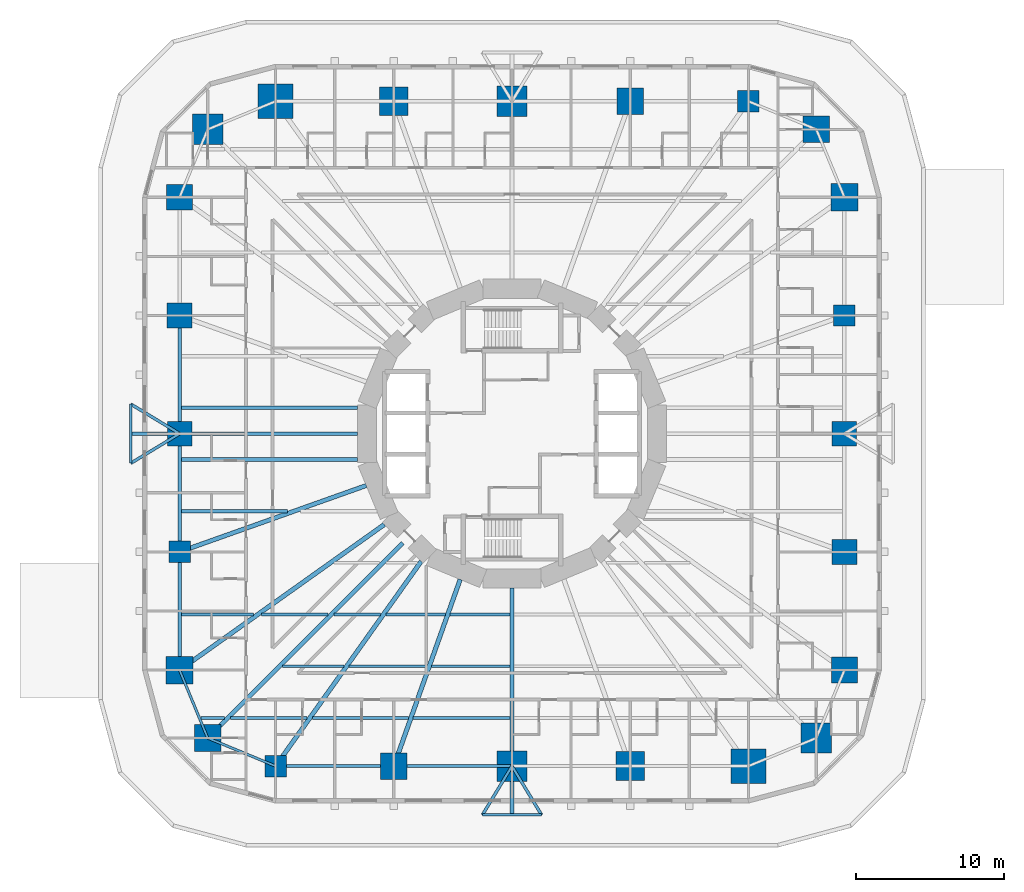
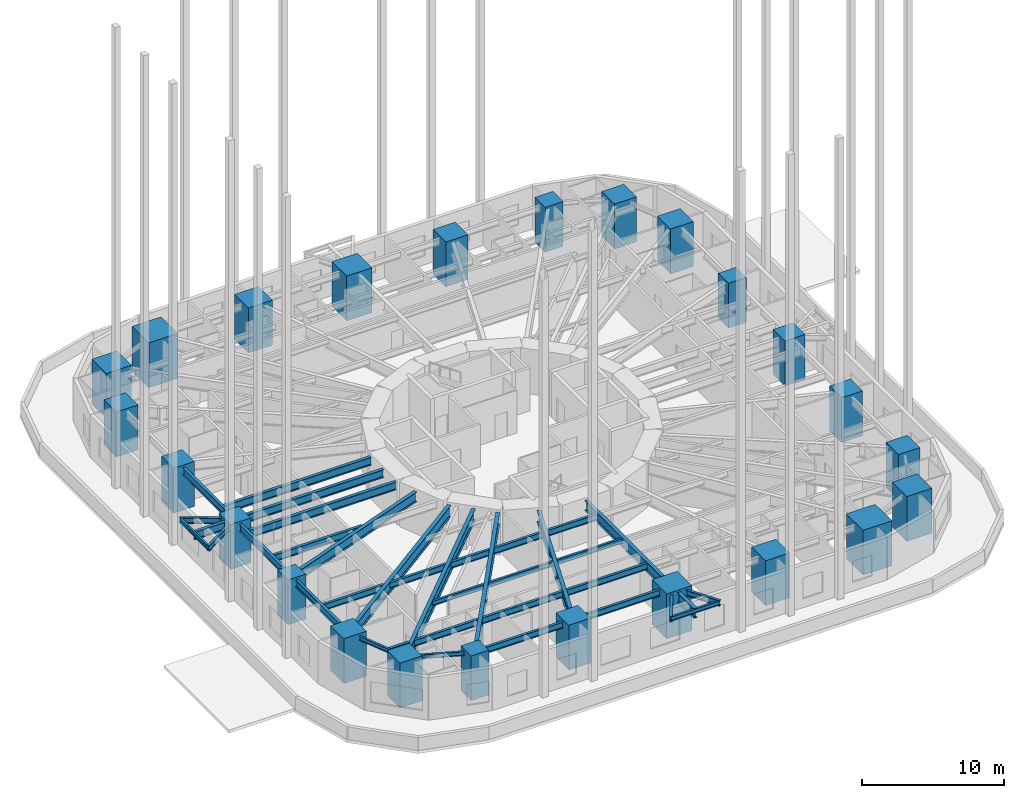
# One storey, part 1 of 13: 35 beams, 24 columns.
"""IFC4 building model written with IfcOpenShell, lengths in metres."""

from ifc_helpers import new_model, si_unit, direction, frame, origin, origin_2d, place, context, subcontext, project, spatial, rectangle, i_section, extrude, material, material_profile, profile_set, type_object, element, save


model = new_model("IFC4")

# Units and contexts
model_context = context("Model", 3, precision=1e-05, world=origin(), true_north=direction((0.0, 1.0)))
body_context = subcontext(model_context, "Body", "Model", "MODEL_VIEW")
ifc_project = project(units=[si_unit("LENGTHUNIT", "METRE"), si_unit("AREAUNIT", "SQUARE_METRE"), si_unit("VOLUMEUNIT", "CUBIC_METRE"), si_unit("PLANEANGLEUNIT", "RADIAN"), si_unit("MASSUNIT", "GRAM", prefix="KILO")], contexts=[model_context])

# Site, building, storey
site_placement = place(None, origin())
site = spatial("IfcSite", under=ifc_project, at=site_placement, CompositionType="ELEMENT")
building_placement = place(site_placement, origin())
building = spatial("IfcBuilding", under=site, at=building_placement, Name="Nakasero Lantern House", CompositionType="ELEMENT")
storey_placement = place(building_placement, frame((0.0, 0.0, 16.0)))
storey = spatial("IfcBuildingStorey", under=building, at=storey_placement, Name="L03", CompositionType="ELEMENT", Elevation=16.0)

# Columns
ifc_material_1 = material(Name="Concrete C50/60", Category="concrete")
ifc_material_profile_1 = material_profile(ifc_material_1, rectangle(XDim=1.800048828125, YDim=1.800048828125, at=origin_2d()), Name="RC 1800x1800")
ifc_profile_set_1 = profile_set([ifc_material_profile_1], Name="Concrete C50/60")
column_type_1 = type_object("IfcColumnType", Name="Mega column RC 1800x1800 C50/60", PredefinedType="COLUMN", material=ifc_profile_set_1)
for number, where, z_axis, x_axis, name in (
    (1, (20.59619140625, 20.59619140625, 0.0), (0.0, 0.0, 1.0), (1.0, 0.0, 0.0), "Column B1-C06 L03"),
    (2, (-20.59619140625, -20.59619140625, 0.0), (0.0, 0.0, 1.0), (1.0, 0.0, 0.0), "Column B1-C18 L03"),
):
    element("IfcColumn", number, at=place(storey_placement, frame(where, z_axis=z_axis, x_axis=x_axis)), inside=storey, type_object=column_type_1, Name=name, PredefinedType="COLUMN", context=body_context, shape_type="SweptSolid", body=[
        extrude(rectangle(XDim=1.800048828125, YDim=1.800048828125, at=origin_2d()), origin(), (0.0, 0.0, 1.0), 3.85009765625),
    ])
ifc_material_2 = material(Name="Concrete C50/60", Category="concrete")
ifc_material_profile_2 = material_profile(ifc_material_2, rectangle(XDim=2.050048828125, YDim=2.050048828125, at=origin_2d()), Name="RC 2050x2050")
ifc_profile_set_2 = profile_set([ifc_material_profile_2], Name="Concrete C50/60")
column_type_2 = type_object("IfcColumnType", Name="Mega column RC 2050x2050 C50/60", PredefinedType="COLUMN", material=ifc_profile_set_2)
for number, where, z_axis, x_axis, name in (
    (3, (-20.59619140625, 20.59619140625, 0.0), (0.0, 0.0, 1.0), (1.0, 0.0, 0.0), "Column B1-C12 L03"),
    (4, (20.59619140625, -20.59619140625, 0.0), (0.0, 0.0, 1.0), (1.0, 0.0, 0.0), "Column B1-C24 L03"),
):
    element("IfcColumn", number, at=place(storey_placement, frame(where, z_axis=z_axis, x_axis=x_axis)), inside=storey, type_object=column_type_2, Name=name, PredefinedType="COLUMN", context=body_context, shape_type="SweptSolid", body=[
        extrude(rectangle(XDim=2.050048828125, YDim=2.050048828125, at=origin_2d()), origin(), (0.0, 0.0, 1.0), 3.85009765625),
    ])
ifc_material_3 = material(Name="Concrete C50/60", Category="concrete")
ifc_material_profile_3 = material_profile(ifc_material_3, rectangle(XDim=1.449951171875, YDim=1.449951171875, at=origin_2d()), Name="RC 1450x1450")
ifc_profile_set_3 = profile_set([ifc_material_profile_3], Name="Concrete C50/60")
column_type_3 = type_object("IfcColumnType", Name="Ring column RC 1450x1450 C50/60", PredefinedType="COLUMN", material=ifc_profile_set_3)
for number, where, z_axis, x_axis, name in (
    (5, (22.5, 8.0, 0.0), (0.0, 0.0, 1.0), (1.0, 0.0, 0.0), "Column B1-C04 L03"),
    (6, (16.0, 22.5, 0.0), (0.0, 0.0, 1.0), (1.0, 0.0, 0.0), "Column B1-C07 L03"),
    (7, (-22.5, -8.0, 0.0), (0.0, 0.0, 1.0), (1.0, 0.0, 0.0), "Column B1-C16 L03"),
    (8, (-16.0, -22.5, 0.0), (0.0, 0.0, 1.0), (1.0, 0.0, 0.0), "Column B1-C19 L03"),
):
    element("IfcColumn", number, at=place(storey_placement, frame(where, z_axis=z_axis, x_axis=x_axis)), inside=storey, type_object=column_type_3, Name=name, PredefinedType="COLUMN", context=body_context, shape_type="SweptSolid", body=[
        extrude(rectangle(XDim=1.449951171875, YDim=1.449951171875, at=origin_2d()), origin(), (0.0, 0.0, 1.0), 3.85009765625),
    ])
ifc_material_4 = material(Name="Concrete C50/60", Category="concrete")
ifc_material_profile_4 = material_profile(ifc_material_4, rectangle(XDim=1.64990234375, YDim=1.64990234375, at=origin_2d()), Name="RC 1650x1650")
ifc_profile_set_4 = profile_set([ifc_material_profile_4], Name="Concrete C50/60")
column_type_4 = type_object("IfcColumnType", Name="Ring column RC 1650x1650 C50/60", PredefinedType="COLUMN", material=ifc_profile_set_4)
for number, where, z_axis, x_axis, name in (
    (9, (22.5, 0.0, 0.0), (0.0, 0.0, 1.0), (1.0, 0.0, 0.0), "Column B1-C03 L03"),
    (10, (-22.5, 0.0, 0.0), (0.0, 0.0, 1.0), (1.0, 0.0, 0.0), "Column B1-C15 L03"),
):
    element("IfcColumn", number, at=place(storey_placement, frame(where, z_axis=z_axis, x_axis=x_axis)), inside=storey, type_object=column_type_4, Name=name, PredefinedType="COLUMN", context=body_context, shape_type="SweptSolid", body=[
        extrude(rectangle(XDim=1.64990234375, YDim=1.64990234375, at=origin_2d()), origin(), (0.0, 0.0, 1.0), 3.85009765625),
    ])
ifc_material_5 = material(Name="Concrete C50/60", Category="concrete")
ifc_material_profile_5 = material_profile(ifc_material_5, rectangle(XDim=1.699951171875, YDim=1.699951171875, at=origin_2d()), Name="RC 1700x1700")
ifc_profile_set_5 = profile_set([ifc_material_profile_5], Name="Concrete C50/60")
column_type_5 = type_object("IfcColumnType", Name="Ring column RC 1700x1700 C50/60", PredefinedType="COLUMN", material=ifc_profile_set_5)
for number, where, z_axis, x_axis, name in (
    (11, (22.5, -8.0, 0.0), (0.0, 0.0, 1.0), (1.0, 0.0, 0.0), "Column B1-C02 L03"),
    (12, (-22.5, 8.0, 0.0), (0.0, 0.0, 1.0), (1.0, 0.0, 0.0), "Column B1-C14 L03"),
):
    element("IfcColumn", number, at=place(storey_placement, frame(where, z_axis=z_axis, x_axis=x_axis)), inside=storey, type_object=column_type_5, Name=name, PredefinedType="COLUMN", context=body_context, shape_type="SweptSolid", body=[
        extrude(rectangle(XDim=1.699951171875, YDim=1.699951171875, at=origin_2d()), origin(), (0.0, 0.0, 1.0), 3.85009765625),
    ])
ifc_material_6 = material(Name="Concrete C50/60", Category="concrete")
ifc_material_profile_6 = material_profile(ifc_material_6, rectangle(XDim=1.75, YDim=1.75, at=origin_2d()), Name="RC 1750x1750")
ifc_profile_set_6 = profile_set([ifc_material_profile_6], Name="Concrete C50/60")
column_type_6 = type_object("IfcColumnType", Name="Ring column RC 1750x1750 C50/60", PredefinedType="COLUMN", material=ifc_profile_set_6)
for number, where, z_axis, x_axis, name in (
    (13, (22.5, -16.0, 0.0), (0.0, 0.0, 1.0), (1.0, 0.0, 0.0), "Column B1-C01 L03"),
    (14, (-22.5, 16.0, 0.0), (0.0, 0.0, 1.0), (1.0, 0.0, 0.0), "Column B1-C13 L03"),
):
    element("IfcColumn", number, at=place(storey_placement, frame(where, z_axis=z_axis, x_axis=x_axis)), inside=storey, type_object=column_type_6, Name=name, PredefinedType="COLUMN", context=body_context, shape_type="SweptSolid", body=[
        extrude(rectangle(XDim=1.75, YDim=1.75, at=origin_2d()), origin(), (0.0, 0.0, 1.0), 3.85009765625),
    ])
ifc_material_7 = material(Name="Concrete C50/60", Category="concrete")
ifc_material_profile_7 = material_profile(ifc_material_7, rectangle(XDim=1.800048828125, YDim=1.800048828125, at=origin_2d()), Name="RC 1800x1800")
ifc_profile_set_7 = profile_set([ifc_material_profile_7], Name="Concrete C50/60")
column_type_7 = type_object("IfcColumnType", Name="Ring column RC 1800x1800 C50/60", PredefinedType="COLUMN", material=ifc_profile_set_7)
for number, where, z_axis, x_axis, name in (
    (15, (8.0, 22.5, 0.0), (0.0, 0.0, 1.0), (1.0, 0.0, 0.0), "Column B1-C08 L03"),
    (16, (-8.0, -22.5, 0.0), (0.0, 0.0, 1.0), (1.0, 0.0, 0.0), "Column B1-C20 L03"),
):
    element("IfcColumn", number, at=place(storey_placement, frame(where, z_axis=z_axis, x_axis=x_axis)), inside=storey, type_object=column_type_7, Name=name, PredefinedType="COLUMN", context=body_context, shape_type="SweptSolid", body=[
        extrude(rectangle(XDim=1.800048828125, YDim=1.800048828125, at=origin_2d()), origin(), (0.0, 0.0, 1.0), 3.85009765625),
    ])
ifc_material_8 = material(Name="Concrete C50/60", Category="concrete")
ifc_material_profile_8 = material_profile(ifc_material_8, rectangle(XDim=1.85009765625, YDim=1.85009765625, at=origin_2d()), Name="RC 1850x1850")
ifc_profile_set_8 = profile_set([ifc_material_profile_8], Name="Concrete C50/60")
column_type_8 = type_object("IfcColumnType", Name="Ring column RC 1850x1850 C50/60", PredefinedType="COLUMN", material=ifc_profile_set_8)
for number, where, z_axis, x_axis, name in (
    (17, (22.5, 16.0, 0.0), (0.0, 0.0, 1.0), (1.0, 0.0, 0.0), "Column B1-C05 L03"),
    (18, (-22.5, -16.0, 0.0), (0.0, 0.0, 1.0), (1.0, 0.0, 0.0), "Column B1-C17 L03"),
):
    element("IfcColumn", number, at=place(storey_placement, frame(where, z_axis=z_axis, x_axis=x_axis)), inside=storey, type_object=column_type_8, Name=name, PredefinedType="COLUMN", context=body_context, shape_type="SweptSolid", body=[
        extrude(rectangle(XDim=1.85009765625, YDim=1.85009765625, at=origin_2d()), origin(), (0.0, 0.0, 1.0), 3.85009765625),
    ])
ifc_material_9 = material(Name="Concrete C50/60", Category="concrete")
ifc_material_profile_9 = material_profile(ifc_material_9, rectangle(XDim=1.949951171875, YDim=1.949951171875, at=origin_2d()), Name="RC 1950x1950")
ifc_profile_set_9 = profile_set([ifc_material_profile_9], Name="Concrete C50/60")
column_type_9 = type_object("IfcColumnType", Name="Ring column RC 1950x1950 C50/60", PredefinedType="COLUMN", material=ifc_profile_set_9)
for number, where, z_axis, x_axis, name in (
    (19, (-8.0, 22.5, 0.0), (0.0, 0.0, 1.0), (1.0, 0.0, 0.0), "Column B1-C10 L03"),
    (20, (8.0, -22.5, 0.0), (0.0, 0.0, 1.0), (1.0, 0.0, 0.0), "Column B1-C22 L03"),
):
    element("IfcColumn", number, at=place(storey_placement, frame(where, z_axis=z_axis, x_axis=x_axis)), inside=storey, type_object=column_type_9, Name=name, PredefinedType="COLUMN", context=body_context, shape_type="SweptSolid", body=[
        extrude(rectangle(XDim=1.949951171875, YDim=1.949951171875, at=origin_2d()), origin(), (0.0, 0.0, 1.0), 3.85009765625),
    ])
ifc_material_10 = material(Name="Concrete C50/60", Category="concrete")
ifc_material_profile_10 = material_profile(ifc_material_10, rectangle(XDim=2.050048828125, YDim=2.050048828125, at=origin_2d()), Name="RC 2050x2050")
ifc_profile_set_10 = profile_set([ifc_material_profile_10], Name="Concrete C50/60")
column_type_10 = type_object("IfcColumnType", Name="Ring column RC 2050x2050 C50/60", PredefinedType="COLUMN", material=ifc_profile_set_10)
for number, where, z_axis, x_axis, name in (
    (21, (0.0, 22.5, 0.0), (0.0, 0.0, 1.0), (1.0, 0.0, 0.0), "Column B1-C09 L03"),
    (22, (0.0, -22.5, 0.0), (0.0, 0.0, 1.0), (1.0, 0.0, 0.0), "Column B1-C21 L03"),
):
    element("IfcColumn", number, at=place(storey_placement, frame(where, z_axis=z_axis, x_axis=x_axis)), inside=storey, type_object=column_type_10, Name=name, PredefinedType="COLUMN", context=body_context, shape_type="SweptSolid", body=[
        extrude(rectangle(XDim=2.050048828125, YDim=2.050048828125, at=origin_2d()), origin(), (0.0, 0.0, 1.0), 3.85009765625),
    ])
ifc_material_11 = material(Name="Concrete C50/60", Category="concrete")
ifc_material_profile_11 = material_profile(ifc_material_11, rectangle(XDim=2.35009765625, YDim=2.35009765625, at=origin_2d()), Name="RC 2350x2350")
ifc_profile_set_11 = profile_set([ifc_material_profile_11], Name="Concrete C50/60")
column_type_11 = type_object("IfcColumnType", Name="Ring column RC 2350x2350 C50/60", PredefinedType="COLUMN", material=ifc_profile_set_11)
for number, where, z_axis, x_axis, name in (
    (23, (-16.0, 22.5, 0.0), (0.0, 0.0, 1.0), (1.0, 0.0, 0.0), "Column B1-C11 L03"),
    (24, (16.0, -22.5, 0.0), (0.0, 0.0, 1.0), (1.0, 0.0, 0.0), "Column B1-C23 L03"),
):
    element("IfcColumn", number, at=place(storey_placement, frame(where, z_axis=z_axis, x_axis=x_axis)), inside=storey, type_object=column_type_11, Name=name, PredefinedType="COLUMN", context=body_context, shape_type="SweptSolid", body=[
        extrude(rectangle(XDim=2.35009765625, YDim=2.35009765625, at=origin_2d()), origin(), (0.0, 0.0, 1.0), 3.85009765625),
    ])

# Beams
ifc_material_12 = material(Name="Steel S355", Category="steel")
ifc_material_profile_12 = material_profile(ifc_material_12, i_section(OverallWidth=0.199462890625, OverallDepth=0.491943359375, WebThickness=0.01806640625, FlangeThickness=0.031982421875, FilletRadius=0.01025390625, at=origin_2d()), Name="UB 457x191x161")
ifc_profile_set_12 = profile_set([ifc_material_profile_12], Name="Steel S355")
beam_type_1 = type_object("IfcBeamType", Name="Balcony splay beam UB 457x191x161", PredefinedType="BEAM", material=ifc_profile_set_12)
for number, where, z_axis, x_axis, name in (
    (25, (-22.5, 0.0, 3.404052734375), (-0.855201230787, -0.518296107317, 0.0), (0.518296107317, -0.855201230787, 0.0), "Balcony splay beam L04 B1-C15A"),
    (26, (-22.5, 0.0, 3.404052734375), (-0.855201230787, 0.518296107317, 0.0), (-0.518296107317, -0.855201230787, 0.0), "Balcony splay beam L04 B1-C15B"),
    (27, (0.0, -22.5, 3.404052734375), (0.518296107317, -0.855201230787, 0.0), (0.855201230787, 0.518296107317, 0.0), "Balcony splay beam L04 B1-C21A"),
    (28, (0.0, -22.5, 3.404052734375), (-0.518296107317, -0.855201230787, 0.0), (0.855201230787, -0.518296107317, 0.0), "Balcony splay beam L04 B1-C21B"),
):
    element("IfcBeam", number, at=place(storey_placement, frame(where, z_axis=z_axis, x_axis=x_axis)), inside=storey, type_object=beam_type_1, Name=name, PredefinedType="BEAM", context=body_context, shape_type="SweptSolid", body=[
        extrude(i_section(OverallWidth=0.199462890625, OverallDepth=0.491943359375, WebThickness=0.01806640625, FlangeThickness=0.031982421875, FilletRadius=0.01025390625, at=origin_2d()), origin(), (0.0, 0.0, 1.0), 3.85888671875),
    ])
ifc_material_13 = material(Name="Steel S355", Category="steel")
ifc_material_profile_13 = material_profile(ifc_material_13, i_section(OverallWidth=0.17138671875, OverallDepth=0.35498046875, WebThickness=0.00732421875, FlangeThickness=0.011474609375, FilletRadius=0.01025390625, at=origin_2d()), Name="UB 356x171x51")
ifc_profile_set_13 = profile_set([ifc_material_profile_13], Name="Steel S355")
beam_type_2 = type_object("IfcBeamType", Name="Balcony tie beam UB 356x171x51", PredefinedType="BEAM", material=ifc_profile_set_13)
for number, where, z_axis, x_axis, name in (
    (29, (-25.800048828125, -2.0, 3.472412109375), (0.0, 1.0, 0.0), (-1.0, 0.0, 0.0), "Balcony tie beam L04 B1-C15"),
    (30, (2.0, -25.800048828125, 3.472412109375), (-1.0, 0.0, 0.0), (0.0, -1.0, 0.0), "Balcony tie beam L04 B1-C21"),
):
    element("IfcBeam", number, at=place(storey_placement, frame(where, z_axis=z_axis, x_axis=x_axis)), inside=storey, type_object=beam_type_2, Name=name, PredefinedType="BEAM", context=body_context, shape_type="SweptSolid", body=[
        extrude(i_section(OverallWidth=0.17138671875, OverallDepth=0.35498046875, WebThickness=0.00732421875, FlangeThickness=0.011474609375, FilletRadius=0.01025390625, at=origin_2d()), origin(), (0.0, 0.0, 1.0), 4.0),
    ])
ifc_material_14 = material(Name="Steel S355", Category="steel")
ifc_material_profile_14 = material_profile(ifc_material_14, i_section(OverallWidth=0.177978515625, OverallDepth=0.406494140625, WebThickness=0.0078125, FlangeThickness=0.0126953125, FilletRadius=0.01025390625, at=origin_2d()), Name="UB 406x178x60")
ifc_profile_set_14 = profile_set([ifc_material_profile_14], Name="Steel S355")
beam_type_3 = type_object("IfcBeamType", Name="Infill beam UB 406x178x60", PredefinedType="JOIST", material=ifc_profile_set_14)
beam_1_placement = place(storey_placement, frame((-15.537841796875, -15.75, 3.44677734375), z_axis=(1.0, 0.0, 0.0), x_axis=(0.0, 1.0, 0.0)))
element("IfcBeam", 31, at=beam_1_placement, inside=storey, type_object=beam_type_3, Name="Infill beam L04 03.1", PredefinedType="JOIST", context=body_context, shape_type="SweptSolid", body=[
    extrude(i_section(OverallWidth=0.177978515625, OverallDepth=0.406494140625, WebThickness=0.0078125, FlangeThickness=0.0126953125, FilletRadius=0.01025390625, at=origin_2d()), origin(), (0.0, 0.0, 1.0), 4.15380859375),
])
beam_2_placement = place(storey_placement, frame((-11.015869140625, -15.75, 3.44677734375), z_axis=(1.0, 0.0, 0.0), x_axis=(0.0, 1.0, 0.0)))
element("IfcBeam", 32, at=beam_2_placement, inside=storey, type_object=beam_type_3, Name="Infill beam L04 03.2", PredefinedType="JOIST", context=body_context, shape_type="SweptSolid", body=[
    extrude(i_section(OverallWidth=0.177978515625, OverallDepth=0.406494140625, WebThickness=0.0078125, FlangeThickness=0.0126953125, FilletRadius=0.01025390625, at=origin_2d()), origin(), (0.0, 0.0, 1.0), 5.256591796875),
])
beam_3_placement = place(storey_placement, frame((-5.44091796875, -15.75, 3.44677734375), z_axis=(1.0, 0.0, 0.0), x_axis=(0.0, 1.0, 0.0)))
element("IfcBeam", 33, at=beam_3_placement, inside=storey, type_object=beam_type_3, Name="Infill beam L04 03.3", PredefinedType="JOIST", context=body_context, shape_type="SweptSolid", body=[
    extrude(i_section(OverallWidth=0.177978515625, OverallDepth=0.406494140625, WebThickness=0.0078125, FlangeThickness=0.0126953125, FilletRadius=0.01025390625, at=origin_2d()), origin(), (0.0, 0.0, 1.0), 5.294677734375),
])
ifc_material_15 = material(Name="Steel S355", Category="steel")
ifc_material_profile_15 = material_profile(ifc_material_15, i_section(OverallWidth=0.208740234375, OverallDepth=0.5283203125, WebThickness=0.009521484375, FlangeThickness=0.01318359375, FilletRadius=0.0126953125, at=origin_2d()), Name="UB 533x210x82")
ifc_profile_set_15 = profile_set([ifc_material_profile_15], Name="Steel S355")
beam_type_4 = type_object("IfcBeamType", Name="Infill beam UB 533x210x82", PredefinedType="JOIST", material=ifc_profile_set_15)
beam_4_placement = place(storey_placement, frame((-21.06103515625, -19.25, 3.3857421875), z_axis=(1.0, 0.0, 0.0), x_axis=(0.0, 1.0, 0.0)))
element("IfcBeam", 34, at=beam_4_placement, inside=storey, type_object=beam_type_4, Name="Infill beam L04 02.1", PredefinedType="JOIST", context=body_context, shape_type="SweptSolid", body=[
    extrude(i_section(OverallWidth=0.208740234375, OverallDepth=0.5283203125, WebThickness=0.009521484375, FlangeThickness=0.01318359375, FilletRadius=0.0126953125, at=origin_2d()), origin(), (0.0, 0.0, 1.0), 1.598876953125),
])
beam_5_placement = place(storey_placement, frame((-19.037841796875, -19.25, 3.3857421875), z_axis=(1.0, 0.0, 0.0), x_axis=(0.0, 1.0, 0.0)))
element("IfcBeam", 35, at=beam_5_placement, inside=storey, type_object=beam_type_4, Name="Infill beam L04 02.2", PredefinedType="JOIST", context=body_context, shape_type="SweptSolid", body=[
    extrude(i_section(OverallWidth=0.208740234375, OverallDepth=0.5283203125, WebThickness=0.009521484375, FlangeThickness=0.01318359375, FilletRadius=0.0126953125, at=origin_2d()), origin(), (0.0, 0.0, 1.0), 5.164794921875),
])
beam_6_placement = place(storey_placement, frame((-13.5048828125, -19.25, 3.3857421875), z_axis=(1.0, 0.0, 0.0), x_axis=(0.0, 1.0, 0.0)))
element("IfcBeam", 36, at=beam_6_placement, inside=storey, type_object=beam_type_4, Name="Infill beam L04 02.3", PredefinedType="JOIST", context=body_context, shape_type="SweptSolid", body=[
    extrude(i_section(OverallWidth=0.208740234375, OverallDepth=0.5283203125, WebThickness=0.009521484375, FlangeThickness=0.01318359375, FilletRadius=0.0126953125, at=origin_2d()), origin(), (0.0, 0.0, 1.0), 6.501220703125),
])
beam_7_placement = place(storey_placement, frame((-6.685302734375, -19.25, 3.3857421875), z_axis=(1.0, 0.0, 0.0), x_axis=(0.0, 1.0, 0.0)))
element("IfcBeam", 37, at=beam_7_placement, inside=storey, type_object=beam_type_4, Name="Infill beam L04 02.4", PredefinedType="JOIST", context=body_context, shape_type="SweptSolid", body=[
    extrude(i_section(OverallWidth=0.208740234375, OverallDepth=0.5283203125, WebThickness=0.009521484375, FlangeThickness=0.01318359375, FilletRadius=0.0126953125, at=origin_2d()), origin(), (0.0, 0.0, 1.0), 6.5390625),
])
beam_8_placement = place(storey_placement, frame((-22.385498046875, -12.25, 3.3857421875), z_axis=(1.0, 0.0, 0.0), x_axis=(0.0, 1.0, 0.0)))
element("IfcBeam", 38, at=beam_8_placement, inside=storey, type_object=beam_type_4, Name="Infill beam L04 04.1", PredefinedType="JOIST", context=body_context, shape_type="SweptSolid", body=[
    extrude(i_section(OverallWidth=0.208740234375, OverallDepth=0.5283203125, WebThickness=0.009521484375, FlangeThickness=0.01318359375, FilletRadius=0.0126953125, at=origin_2d()), origin(), (0.0, 0.0, 1.0), 4.900146484375),
])
beam_9_placement = place(storey_placement, frame((-16.9677734375, -12.25, 3.3857421875), z_axis=(1.0, 0.0, 0.0), x_axis=(0.0, 1.0, 0.0)))
element("IfcBeam", 39, at=beam_9_placement, inside=storey, type_object=beam_type_4, Name="Infill beam L04 04.2", PredefinedType="JOIST", context=body_context, shape_type="SweptSolid", body=[
    extrude(i_section(OverallWidth=0.208740234375, OverallDepth=0.5283203125, WebThickness=0.009521484375, FlangeThickness=0.01318359375, FilletRadius=0.0126953125, at=origin_2d()), origin(), (0.0, 0.0, 1.0), 4.505615234375),
])
beam_10_placement = place(storey_placement, frame((-12.037841796875, -12.25, 3.3857421875), z_axis=(1.0, 0.0, 0.0), x_axis=(0.0, 1.0, 0.0)))
element("IfcBeam", 40, at=beam_10_placement, inside=storey, type_object=beam_type_4, Name="Infill beam L04 04.3", PredefinedType="JOIST", context=body_context, shape_type="SweptSolid", body=[
    extrude(i_section(OverallWidth=0.208740234375, OverallDepth=0.5283203125, WebThickness=0.009521484375, FlangeThickness=0.01318359375, FilletRadius=0.0126953125, at=origin_2d()), origin(), (0.0, 0.0, 1.0), 3.142578125),
])
beam_11_placement = place(storey_placement, frame((-8.527099609375, -12.25, 3.3857421875), z_axis=(1.0, 0.0, 0.0), x_axis=(0.0, 1.0, 0.0)))
element("IfcBeam", 41, at=beam_11_placement, inside=storey, type_object=beam_type_4, Name="Infill beam L04 04.4", PredefinedType="JOIST", context=body_context, shape_type="SweptSolid", body=[
    extrude(i_section(OverallWidth=0.208740234375, OverallDepth=0.5283203125, WebThickness=0.009521484375, FlangeThickness=0.01318359375, FilletRadius=0.0126953125, at=origin_2d()), origin(), (0.0, 0.0, 1.0), 4.012451171875),
])
beam_12_placement = place(storey_placement, frame((-4.1962890625, -12.25, 3.3857421875), z_axis=(1.0, 0.0, 0.0), x_axis=(0.0, 1.0, 0.0)))
element("IfcBeam", 42, at=beam_12_placement, inside=storey, type_object=beam_type_4, Name="Infill beam L04 04.5", PredefinedType="JOIST", context=body_context, shape_type="SweptSolid", body=[
    extrude(i_section(OverallWidth=0.208740234375, OverallDepth=0.5283203125, WebThickness=0.009521484375, FlangeThickness=0.01318359375, FilletRadius=0.0126953125, at=origin_2d()), origin(), (0.0, 0.0, 1.0), 4.050048828125),
])
ifc_material_16 = material(Name="Steel S355", Category="steel")
ifc_material_profile_16 = material_profile(ifc_material_16, i_section(OverallWidth=0.2275390625, OverallDepth=0.6025390625, WebThickness=0.010498046875, FlangeThickness=0.014892578125, FilletRadius=0.0126953125, at=origin_2d()), Name="UB 610x229x101")
ifc_profile_set_16 = profile_set([ifc_material_profile_16], Name="Steel S355")
beam_type_5 = type_object("IfcBeamType", Name="Infill beam UB 610x229x101", PredefinedType="JOIST", material=ifc_profile_set_16)
beam_13_placement = place(storey_placement, frame((-22.385498046875, -5.25, 3.3486328125), z_axis=(1.0, 0.0, 0.0), x_axis=(0.0, 1.0, 0.0)))
element("IfcBeam", 43, at=beam_13_placement, inside=storey, type_object=beam_type_5, Name="Infill beam L04 06.1", PredefinedType="JOIST", context=body_context, shape_type="SweptSolid", body=[
    extrude(i_section(OverallWidth=0.2275390625, OverallDepth=0.6025390625, WebThickness=0.010498046875, FlangeThickness=0.014892578125, FilletRadius=0.0126953125, at=origin_2d()), origin(), (0.0, 0.0, 1.0), 7.183349609375),
])
ifc_material_17 = material(Name="Steel S355", Category="steel")
ifc_material_profile_17 = material_profile(ifc_material_17, i_section(OverallWidth=0.253662109375, OverallDepth=0.68359375, WebThickness=0.012451171875, FlangeThickness=0.01904296875, FilletRadius=0.01513671875, at=origin_2d()), Name="UB 686x254x140")
ifc_profile_set_17 = profile_set([ifc_material_profile_17], Name="Steel S355")
beam_type_6 = type_object("IfcBeamType", Name="Infill beam UB 686x254x140", PredefinedType="JOIST", material=ifc_profile_set_17)
for number, where, z_axis, x_axis, name in (
    (44, (-22.385498046875, -1.75, 3.308349609375), (1.0, 0.0, 0.0), (0.0, 1.0, 0.0), "Infill beam L04 07.1"),
    (45, (-22.385498046875, 1.75, 3.308349609375), (1.0, 0.0, 0.0), (0.0, 1.0, 0.0), "Infill beam L04 08.1"),
):
    element("IfcBeam", number, at=place(storey_placement, frame(where, z_axis=z_axis, x_axis=x_axis)), inside=storey, type_object=beam_type_6, Name=name, PredefinedType="JOIST", context=body_context, shape_type="SweptSolid", body=[
        extrude(i_section(OverallWidth=0.253662109375, OverallDepth=0.68359375, WebThickness=0.012451171875, FlangeThickness=0.01904296875, FilletRadius=0.01513671875, at=origin_2d()), origin(), (0.0, 0.0, 1.0), 11.927734375),
    ])
ifc_material_18 = material(Name="Steel S355", Category="steel")
ifc_material_profile_18 = material_profile(ifc_material_18, i_section(OverallWidth=0.300048828125, OverallDepth=0.97021484375, WebThickness=0.01611328125, FlangeThickness=0.02099609375, FilletRadius=0.030029296875, at=origin_2d()), Name="UB 1016x305x222")
ifc_profile_set_18 = profile_set([ifc_material_profile_18], Name="Steel S355")
beam_type_7 = type_object("IfcBeamType", Name="Primary beam UB 1016x305x222, span 12 to 15 m", PredefinedType="BEAM", material=ifc_profile_set_18)
beam_14_placement = place(storey_placement, frame((-8.0, -22.5, 3.164794921875), z_axis=(0.335010745293, 0.942214307118, 0.0), x_axis=(-0.942214307118, 0.335010745293, 0.0)))
element("IfcBeam", 46, at=beam_14_placement, inside=storey, type_object=beam_type_7, Name="Primary beam L04 B1-C20", PredefinedType="BEAM", context=body_context, shape_type="SweptSolid", body=[
    extrude(i_section(OverallWidth=0.300048828125, OverallDepth=0.97021484375, WebThickness=0.01611328125, FlangeThickness=0.02099609375, FilletRadius=0.030029296875, at=origin_2d()), origin(), (0.0, 0.0, 1.0), 13.408447265625),
])
ifc_material_19 = material(Name="Steel S355", Category="steel")
ifc_material_profile_19 = material_profile(ifc_material_19, i_section(OverallWidth=0.300048828125, OverallDepth=0.989990234375, WebThickness=0.0166015625, FlangeThickness=0.031005859375, FilletRadius=0.030029296875, at=origin_2d()), Name="UB 1016x305x272")
ifc_profile_set_19 = profile_set([ifc_material_profile_19], Name="Steel S355")
beam_type_8 = type_object("IfcBeamType", Name="Primary beam UB 1016x305x272, span over 15 m", PredefinedType="BEAM", material=ifc_profile_set_19)
beam_15_placement = place(storey_placement, frame((-22.5, -16.0, 3.155029296875), z_axis=(0.814952159915, 0.579528236629, 0.0), x_axis=(-0.579528236629, 0.814952159915, 0.0)))
element("IfcBeam", 47, at=beam_15_placement, inside=storey, type_object=beam_type_8, Name="Primary beam L04 B1-C17", PredefinedType="BEAM", context=body_context, shape_type="SweptSolid", body=[
    extrude(i_section(OverallWidth=0.300048828125, OverallDepth=0.989990234375, WebThickness=0.0166015625, FlangeThickness=0.031005859375, FilletRadius=0.030029296875, at=origin_2d()), origin(), (0.0, 0.0, 1.0), 17.003173828125),
])
beam_16_placement = place(storey_placement, frame((-20.59619140625, -20.59619140625, 3.155029296875), z_axis=(0.707106781187, 0.707106781187, 0.0), x_axis=(-0.707106781187, 0.707106781187, 0.0)))
element("IfcBeam", 48, at=beam_16_placement, inside=storey, type_object=beam_type_8, Name="Primary beam L04 B1-C18", PredefinedType="BEAM", context=body_context, shape_type="SweptSolid", body=[
    extrude(i_section(OverallWidth=0.300048828125, OverallDepth=0.989990234375, WebThickness=0.0166015625, FlangeThickness=0.031005859375, FilletRadius=0.030029296875, at=origin_2d()), origin(), (0.0, 0.0, 1.0), 18.669677734375),
])
ifc_material_20 = material(Name="Steel S355", Category="steel")
ifc_material_profile_20 = material_profile(ifc_material_20, i_section(OverallWidth=0.300048828125, OverallDepth=1.0, WebThickness=0.01904296875, FlangeThickness=0.035888671875, FilletRadius=0.030029296875, at=origin_2d()), Name="UB 1016x305x314")
ifc_profile_set_20 = profile_set([ifc_material_profile_20], Name="Steel S355")
beam_type_9 = type_object("IfcBeamType", Name="Primary beam UB 1016x305x314, span over 15 m", PredefinedType="BEAM", material=ifc_profile_set_20)
beam_17_placement = place(storey_placement, frame((-16.0, -22.5, 3.150146484375), z_axis=(0.579528236629, 0.814952159915, 0.0), x_axis=(-0.814952159915, 0.579528236629, 0.0)))
element("IfcBeam", 49, at=beam_17_placement, inside=storey, type_object=beam_type_9, Name="Primary beam L04 B1-C19", PredefinedType="BEAM", context=body_context, shape_type="SweptSolid", body=[
    extrude(i_section(OverallWidth=0.300048828125, OverallDepth=1.0, WebThickness=0.01904296875, FlangeThickness=0.035888671875, FilletRadius=0.030029296875, at=origin_2d()), origin(), (0.0, 0.0, 1.0), 17.003173828125),
])
ifc_material_21 = material(Name="Steel S355", Category="steel")
ifc_material_profile_21 = material_profile(ifc_material_21, i_section(OverallWidth=0.255859375, OverallDepth=0.69287109375, WebThickness=0.014404296875, FlangeThickness=0.023681640625, FilletRadius=0.01513671875, at=origin_2d()), Name="UB 686x254x170")
ifc_profile_set_21 = profile_set([ifc_material_profile_21], Name="Steel S355")
beam_type_10 = type_object("IfcBeamType", Name="Primary beam UB 686x254x170, span 12 to 15 m", PredefinedType="BEAM", material=ifc_profile_set_21)
beam_18_placement = place(storey_placement, frame((-25.800048828125, 0.0, 3.303466796875), z_axis=(1.0, 0.0, 0.0), x_axis=(0.0, 1.0, 0.0)))
element("IfcBeam", 50, at=beam_18_placement, inside=storey, type_object=beam_type_10, Name="Primary beam L04 B1-C15", PredefinedType="BEAM", context=body_context, shape_type="SweptSolid", body=[
    extrude(i_section(OverallWidth=0.255859375, OverallDepth=0.69287109375, WebThickness=0.014404296875, FlangeThickness=0.023681640625, FilletRadius=0.01513671875, at=origin_2d()), origin(), (0.0, 0.0, 1.0), 15.34228515625),
])
ifc_material_22 = material(Name="Steel S355", Category="steel")
ifc_material_profile_22 = material_profile(ifc_material_22, i_section(OverallWidth=0.29248046875, OverallDepth=0.8408203125, WebThickness=0.0146484375, FlangeThickness=0.02685546875, FilletRadius=0.017822265625, at=origin_2d()), Name="UB 838x292x194")
ifc_profile_set_22 = profile_set([ifc_material_profile_22], Name="Steel S355")
beam_type_11 = type_object("IfcBeamType", Name="Primary beam UB 838x292x194, span 12 to 15 m", PredefinedType="BEAM", material=ifc_profile_set_22)
beam_19_placement = place(storey_placement, frame((-22.5, -8.0, 3.229736328125), z_axis=(0.942214307118, 0.335010745293, 0.0), x_axis=(-0.335010745293, 0.942214307118, 0.0)))
element("IfcBeam", 51, at=beam_19_placement, inside=storey, type_object=beam_type_11, Name="Primary beam L04 B1-C16", PredefinedType="BEAM", context=body_context, shape_type="SweptSolid", body=[
    extrude(i_section(OverallWidth=0.29248046875, OverallDepth=0.8408203125, WebThickness=0.0146484375, FlangeThickness=0.02685546875, FilletRadius=0.017822265625, at=origin_2d()), origin(), (0.0, 0.0, 1.0), 13.408447265625),
])
beam_20_placement = place(storey_placement, frame((0.0, -25.800048828125, 3.229736328125), z_axis=(0.0, 1.0, 0.0), x_axis=(-1.0, 0.0, 0.0)))
element("IfcBeam", 52, at=beam_20_placement, inside=storey, type_object=beam_type_11, Name="Primary beam L04 B1-C21", PredefinedType="BEAM", context=body_context, shape_type="SweptSolid", body=[
    extrude(i_section(OverallWidth=0.29248046875, OverallDepth=0.8408203125, WebThickness=0.0146484375, FlangeThickness=0.02685546875, FilletRadius=0.017822265625, at=origin_2d()), origin(), (0.0, 0.0, 1.0), 15.34228515625),
])
ifc_material_23 = material(Name="Steel S355", Category="steel")
ifc_material_profile_23 = material_profile(ifc_material_23, i_section(OverallWidth=0.17138671875, OverallDepth=0.35498046875, WebThickness=0.00732421875, FlangeThickness=0.011474609375, FilletRadius=0.01025390625, at=origin_2d()), Name="UB 356x171x51")
ifc_profile_set_23 = profile_set([ifc_material_profile_23], Name="Steel S355")
beam_type_12 = type_object("IfcBeamType", Name="Ring beam UB 356x171x51", PredefinedType="BEAM", material=ifc_profile_set_23)
for number, where, z_axis, x_axis, name in (
    (53, (-22.5, -16.0, 3.472412109375), (0.382684080569, -0.923879264016, 0.0), (0.923879264016, 0.382684080569, 0.0), "Ring beam L04 B1-C17"),
    (54, (-20.59619140625, -20.59619140625, 3.472412109375), (0.923879264016, -0.382684080569, 0.0), (0.382684080569, 0.923879264016, 0.0), "Ring beam L04 B1-C18"),
):
    element("IfcBeam", number, at=place(storey_placement, frame(where, z_axis=z_axis, x_axis=x_axis)), inside=storey, type_object=beam_type_12, Name=name, PredefinedType="BEAM", context=body_context, shape_type="SweptSolid", body=[
        extrude(i_section(OverallWidth=0.17138671875, OverallDepth=0.35498046875, WebThickness=0.00732421875, FlangeThickness=0.011474609375, FilletRadius=0.01025390625, at=origin_2d()), origin(), (0.0, 0.0, 1.0), 4.974853515625),
    ])
ifc_material_24 = material(Name="Steel S355", Category="steel")
ifc_material_profile_24 = material_profile(ifc_material_24, i_section(OverallWidth=0.2099609375, OverallDepth=0.53662109375, WebThickness=0.0107421875, FlangeThickness=0.017333984375, FilletRadius=0.0126953125, at=origin_2d()), Name="UB 533x210x101")
ifc_profile_set_24 = profile_set([ifc_material_profile_24], Name="Steel S355")
beam_type_13 = type_object("IfcBeamType", Name="Ring beam UB 533x210x101", PredefinedType="BEAM", material=ifc_profile_set_24)
for number, where, z_axis, x_axis, name in (
    (55, (-16.0, -22.5, 3.381591796875), (1.0, 0.0, 0.0), (0.0, 1.0, 0.0), "Ring beam L04 B1-C19"),
    (56, (-8.0, -22.5, 3.381591796875), (1.0, 0.0, 0.0), (0.0, 1.0, 0.0), "Ring beam L04 B1-C20"),
):
    element("IfcBeam", number, at=place(storey_placement, frame(where, z_axis=z_axis, x_axis=x_axis)), inside=storey, type_object=beam_type_13, Name=name, PredefinedType="BEAM", context=body_context, shape_type="SweptSolid", body=[
        extrude(i_section(OverallWidth=0.2099609375, OverallDepth=0.53662109375, WebThickness=0.0107421875, FlangeThickness=0.017333984375, FilletRadius=0.0126953125, at=origin_2d()), origin(), (0.0, 0.0, 1.0), 8.0),
    ])
ifc_material_25 = material(Name="Steel S355", Category="steel")
ifc_material_profile_25 = material_profile(ifc_material_25, i_section(OverallWidth=0.22900390625, OverallDepth=0.6123046875, WebThickness=0.011962890625, FlangeThickness=0.01953125, FilletRadius=0.0126953125, at=origin_2d()), Name="UB 610x229x125")
ifc_profile_set_25 = profile_set([ifc_material_profile_25], Name="Steel S355")
beam_type_14 = type_object("IfcBeamType", Name="Ring beam UB 610x229x125", PredefinedType="BEAM", material=ifc_profile_set_25)
for number, where, z_axis, x_axis, name in (
    (57, (-22.5, 8.0, 3.343994140625), (0.0, -1.0, 0.0), (1.0, 0.0, 0.0), "Ring beam L04 B1-C14"),
    (58, (-22.5, 0.0, 3.343994140625), (0.0, -1.0, 0.0), (1.0, 0.0, 0.0), "Ring beam L04 B1-C15"),
    (59, (-22.5, -8.0, 3.343994140625), (0.0, -1.0, 0.0), (1.0, 0.0, 0.0), "Ring beam L04 B1-C16"),
):
    element("IfcBeam", number, at=place(storey_placement, frame(where, z_axis=z_axis, x_axis=x_axis)), inside=storey, type_object=beam_type_14, Name=name, PredefinedType="BEAM", context=body_context, shape_type="SweptSolid", body=[
        extrude(i_section(OverallWidth=0.22900390625, OverallDepth=0.6123046875, WebThickness=0.011962890625, FlangeThickness=0.01953125, FilletRadius=0.0126953125, at=origin_2d()), origin(), (0.0, 0.0, 1.0), 8.0),
    ])

save(model, "model.ifc")
